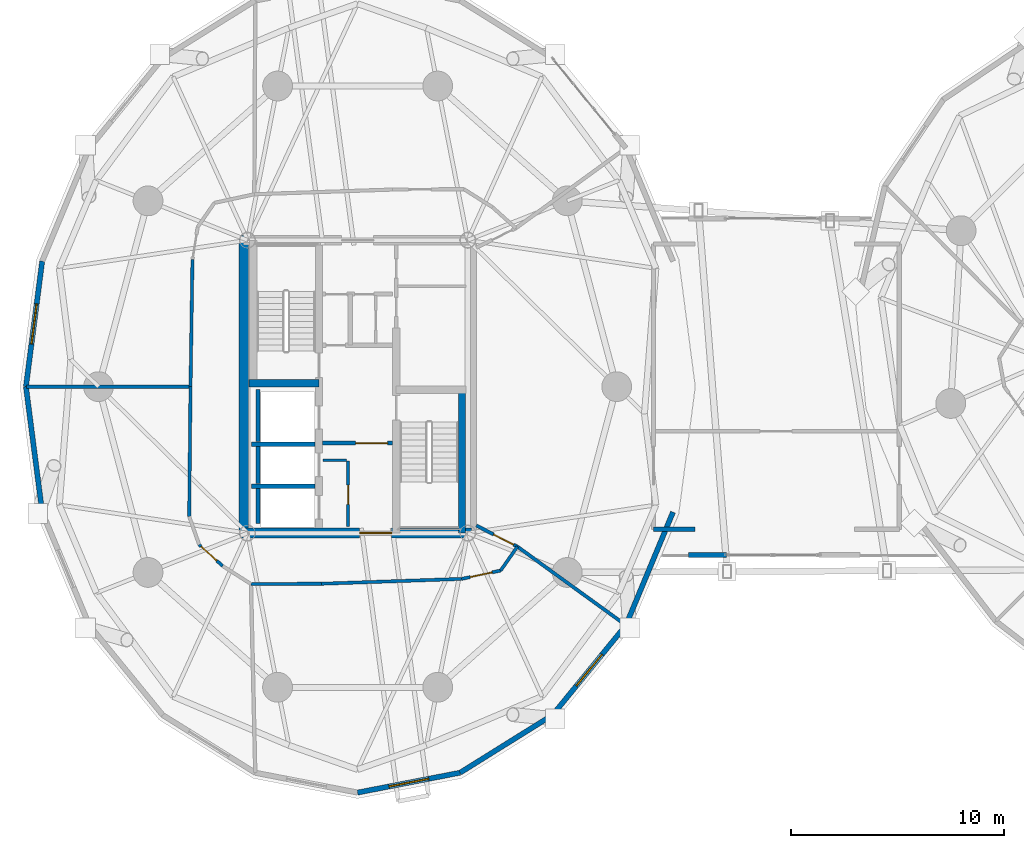
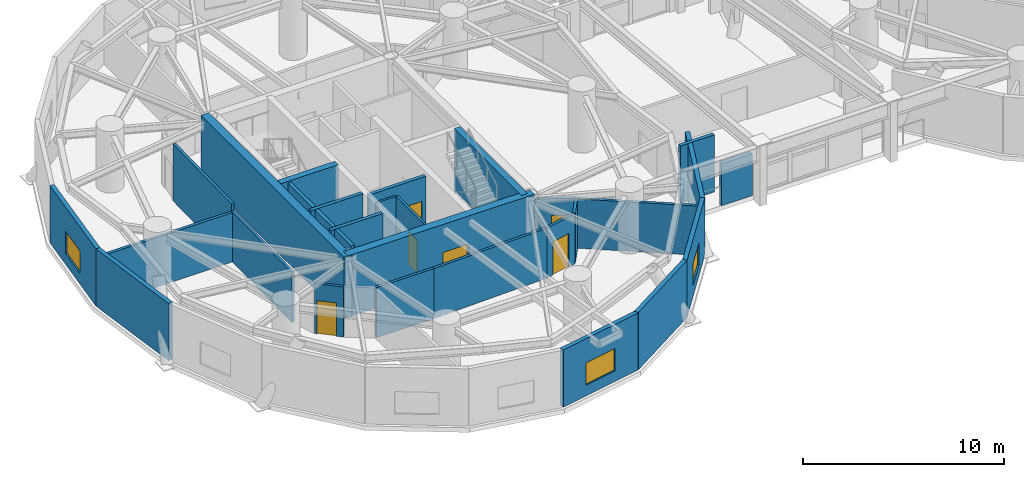
# One storey, part 13 of 20: 30 walls, 6 doors, 3 windows, 9 openings.
"""IFC4 building model written with IfcOpenShell, lengths in metres."""

from ifc_helpers import new_model, si_unit, direction, frame, frame_2d, origin, place, context, subcontext, project, spatial, rectangle, extrude, source, transform, mapped, material, layer, layer_set, type_object, element, fill, save


model = new_model("IFC4")

# Units and contexts
model_context = context("Model", 3, precision=1e-05, world=origin(), true_north=direction((0.0, 1.0)))
body_context = subcontext(model_context, "Body", "Model", "MODEL_VIEW")
ifc_project = project(units=[si_unit("LENGTHUNIT", "METRE"), si_unit("AREAUNIT", "SQUARE_METRE"), si_unit("VOLUMEUNIT", "CUBIC_METRE"), si_unit("PLANEANGLEUNIT", "RADIAN"), si_unit("MASSUNIT", "GRAM", prefix="KILO")], contexts=[model_context])

# Site, building, storey
site_placement = place(None, origin())
site = spatial("IfcSite", under=ifc_project, at=site_placement, CompositionType="ELEMENT")
building_placement = place(site_placement, origin())
building = spatial("IfcBuilding", under=site, at=building_placement, Name="Cununo Teusaquillo Station Towers", CompositionType="ELEMENT")
storey_placement = place(building_placement, frame((0.0, 0.0, 140.320068359375)))
storey = spatial("IfcBuildingStorey", under=building, at=storey_placement, Name="L44", CompositionType="ELEMENT", Elevation=140.320068359375)

# Walls
ifc_material_1 = material(Name="Concrete C50/60", Category="concrete")
ifc_layer_1 = layer(ifc_material_1, 0.199951171875)
ifc_layer_set_1 = layer_set([ifc_layer_1], Name="Concrete C50/60")
wall_type_1 = type_object("IfcWallType", Name="WL-CORE-200", PredefinedType="SHEAR", material=ifc_layer_set_1)
wall_1_placement = place(storey_placement, frame((11.52001953125, 21.800048828125, 0.0), z_axis=(0.0, 0.0, 1.0), x_axis=(1.0, 0.0, 0.0)))
element("IfcWall", 1, at=wall_1_placement, inside=storey, type_object=wall_type_1, Name="L44 Tower A Firefighting Lift Shaft South Shear Wall", PredefinedType="SHEAR", context=body_context, shape_type="SweptSolid", body=[
    extrude(rectangle(XDim=2.969970703125, YDim=0.199951171875, at=frame_2d((1.48486328125, 0.0))), origin(), (0.0, 0.0, 1.0), 3.719970703125),
])
wall_2_placement = place(storey_placement, frame((11.820068359375, 21.919921875, 0.0), z_axis=(0.0, 0.0, 1.0), x_axis=(0.0, 1.0, 0.0)))
element("IfcWall", 2, at=wall_2_placement, inside=storey, type_object=wall_type_1, Name="L44 Tower A Firefighting Lift Shaft Rear Shear Wall", PredefinedType="SHEAR", context=body_context, shape_type="SweptSolid", body=[
    extrude(rectangle(XDim=2.440185546875, YDim=0.199951171875, at=frame_2d((1.22021484375, 0.0))), origin(), (0.0, 0.0, 1.0), 3.719970703125),
])
wall_3_placement = place(storey_placement, frame((11.52001953125, 19.824951171875, 0.0), z_axis=(0.0, 0.0, 1.0), x_axis=(1.0, 0.0, 0.0)))
element("IfcWall", 3, at=wall_3_placement, inside=storey, type_object=wall_type_1, Name="L44 Tower A High-Rise Lift Hoistway Divider Shear Wall", PredefinedType="SHEAR", context=body_context, shape_type="SweptSolid", body=[
    extrude(rectangle(XDim=2.969970703125, YDim=0.199951171875, at=frame_2d((1.48486328125, 0.0))), origin(), (0.0, 0.0, 1.0), 3.719970703125),
])
wall_4_placement = place(storey_placement, frame((11.820068359375, 19.945068359375, 0.0), z_axis=(0.0, 0.0, 1.0), x_axis=(0.0, 1.0, 0.0)))
element("IfcWall", 4, at=wall_4_placement, inside=storey, type_object=wall_type_1, Name="L44 Tower A High-Rise Lift 2 Shaft Rear Shear Wall", PredefinedType="SHEAR", context=body_context, shape_type="SweptSolid", body=[
    extrude(rectangle(XDim=1.73486328125, YDim=0.199951171875, at=frame_2d((0.867431640625, 0.0))), origin(), (0.0, 0.0, 1.0), 3.719970703125),
])
wall_5_placement = place(storey_placement, frame((11.820068359375, 18.070068359375, 0.0), z_axis=(0.0, 0.0, 1.0), x_axis=(0.0, 1.0, 0.0)))
element("IfcWall", 5, at=wall_5_placement, inside=storey, type_object=wall_type_1, Name="L44 Tower A High-Rise Lift 1 Shaft Rear Shear Wall", PredefinedType="SHEAR", context=body_context, shape_type="SweptSolid", body=[
    extrude(rectangle(XDim=1.635009765625, YDim=0.199951171875, at=frame_2d((0.8173828125, 0.0))), origin(), (0.0, 0.0, 1.0), 3.719970703125),
])
ifc_material_2 = material(Name="Concrete C50/60", Category="concrete")
ifc_layer_2 = layer(ifc_material_2, 0.35009765625)
ifc_layer_set_2 = layer_set([ifc_layer_2], Name="Concrete C50/60")
wall_type_2 = type_object("IfcWallType", Name="WL-CORE-350", PredefinedType="SHEAR", material=ifc_layer_set_2)
wall_6_placement = place(storey_placement, frame((11.39990234375, 24.655029296875, 0.0), z_axis=(0.0, 0.0, 1.0), x_axis=(1.0, 0.0, 0.0)))
element("IfcWall", 6, at=wall_6_placement, inside=storey, type_object=wall_type_2, Name="L44 Tower A Core Shear Wall ST1S", PredefinedType="SHEAR", context=body_context, shape_type="SweptSolid", body=[
    extrude(rectangle(XDim=3.28515625, YDim=0.35009765625, at=frame_2d((1.642578125, 0.0))), origin(), (0.0, 0.0, 1.0), 3.719970703125),
])
wall_7_placement = place(storey_placement, frame((21.405029296875, 17.625, 0.0), z_axis=(0.0, 0.0, 1.0), x_axis=(0.0, 1.0, 0.0)))
element("IfcWall", 7, at=wall_7_placement, inside=storey, type_object=wall_type_2, Name="L44 Tower A Core Shear Wall ST2E", PredefinedType="SHEAR", context=body_context, shape_type="SweptSolid", body=[
    extrude(rectangle(XDim=6.719970703125, YDim=0.35009765625, at=frame_2d((3.35986328125, 0.0))), origin(), (0.0, 0.0, 1.0), 3.719970703125),
])
ifc_material_3 = material(Name="Concrete C60/75", Category="concrete")
ifc_layer_3 = layer(ifc_material_3, 0.449951171875)
ifc_layer_set_3 = layer_set([ifc_layer_3], Name="Concrete C60/75")
wall_type_3 = type_object("IfcWallType", Name="WL-CORE-450", PredefinedType="SHEAR", material=ifc_layer_set_3)
wall_8_placement = place(storey_placement, frame((11.14990234375, 17.39990234375, 0.0), z_axis=(0.0, 0.0, 1.0), x_axis=(0.0, 1.0, 0.0)))
element("IfcWall", 8, at=wall_8_placement, inside=storey, type_object=wall_type_3, Name="L44 Tower A Core Shear Wall W", PredefinedType="SHEAR", context=body_context, shape_type="SweptSolid", body=[
    extrude(rectangle(XDim=14.2001953125, YDim=0.449951171875, at=frame_2d((7.10009765625, 0.0))), origin(), (0.0, 0.0, 1.0), 3.719970703125),
])

# Wall, opening, door
wall_9_placement = place(storey_placement, frame((11.14990234375, 17.625, 0.0), z_axis=(0.0, 0.0, 1.0), x_axis=(1.0, 0.0, 0.0)))
wall_9 = element("IfcWall", 9, at=wall_9_placement, inside=storey, type_object=wall_type_3, Name="L44 Tower A Core Shear Wall S", PredefinedType="SHEAR", context=body_context, shape_type="SweptSolid", body=[
    extrude(rectangle(XDim=10.7001953125, YDim=0.449951171875, at=frame_2d((5.35009765625, 0.0))), origin(), (0.0, 0.0, 1.0), 3.719970703125),
])
shared_shape_1 = source(origin(), body_context, "Body", "SweptSolid", [
    extrude(rectangle(XDim=1.5, YDim=2.02001953125, at=frame_2d((0.75, 1.010009765625))), frame((0.0, 0.23486328125, 0.0), z_axis=(0.0, -1.0, 0.0), x_axis=(1.0, 0.0, 0.0)), (0.0, 0.0, 1.0), 0.469970703125),
])
opening_1_placement = place(wall_9_placement, frame((5.449951171875, 0.0, 0.0)))
opening_1 = element("IfcOpeningElement", 10, at=opening_1_placement, cuts=wall_9, Name="Opening D-LB1", PredefinedType="OPENING", context=body_context, shape_type="MappedRepresentation", body=[
    mapped(shared_shape_1, transform((0.0, 0.0, 0.0), x_axis=(1.0, 0.0, 0.0), y_axis=(0.0, 1.0, 0.0), z_axis=(0.0, 0.0, 1.0), scale=1.0)),
])
ifc_material_4 = material(Name="Galvanised fire-rated hollow steel door assembly", Category="steel")
door_type_1 = type_object("IfcDoorType", Name="DR-LOBBY-1500", OperationType="DOUBLE_DOOR_SINGLE_SWING", PredefinedType="DOOR", material=ifc_material_4)
shared_shape_2 = source(origin(), body_context, "Body", "SweptSolid", [
    extrude(rectangle(XDim=1.5, YDim=2.02001953125, at=frame_2d((0.75, 1.010009765625))), frame((0.0, 0.02490234375, 0.0), z_axis=(0.0, -1.0, 0.0), x_axis=(1.0, 0.0, 0.0)), (0.0, 0.0, 1.0), 0.050048828125),
])
door_1_placement = place(opening_1_placement, origin())
door_1 = element("IfcDoor", 11, at=door_1_placement, inside=storey, type_object=door_type_1, Name="L44 Tower A South Core Lift Lobby Door", OperationType="DOUBLE_DOOR_SINGLE_SWING", OverallHeight=2.02001953125, OverallWidth=1.5, PredefinedType="DOOR", context=body_context, shape_type="MappedRepresentation", body=[
    mapped(shared_shape_2, transform((0.0, 0.0, 0.0), x_axis=(1.0, 0.0, 0.0), y_axis=(0.0, 1.0, 0.0), z_axis=(0.0, 0.0, 1.0), scale=1.0)),
])
fill(opening_1, door_1)

# Wall, opening, window
ifc_material_5 = material(Name="Precast concrete C40/50", Category="concrete")
ifc_layer_4 = layer(ifc_material_5, 0.239990234375)
ifc_layer_set_4 = layer_set([ifc_layer_4], Name="Precast concrete C40/50")
wall_type_4 = type_object("IfcWallType", Name="WL-EXT-240", PredefinedType="SOLIDWALL", material=ifc_layer_set_4)
wall_10_placement = place(storey_placement, frame((0.9189453125, 24.5, 0.0), z_axis=(0.0, 0.0, 1.0), x_axis=(0.128351991996, 0.991728675672, 0.0)))
wall_10 = element("IfcWall", 12, at=wall_10_placement, inside=storey, type_object=wall_type_4, Name="L44 Tower A Exterior Facade Wall C09", PredefinedType="SOLIDWALL", context=body_context, shape_type="SweptSolid", body=[
    extrude(rectangle(XDim=5.942138671875, YDim=0.239990234375, at=frame_2d((2.97119140625, 0.0))), origin(), (0.0, 0.0, 1.0), 3.46484375),
])
shared_shape_3 = source(origin(), body_context, "Body", "SweptSolid", [
    extrude(rectangle(XDim=1.89990234375, YDim=1.35009765625, at=frame_2d((0.949951171875, 0.675048828125))), frame((0.0, 0.1298828125, 0.0), z_axis=(0.0, -1.0, 0.0), x_axis=(1.0, 0.0, 0.0)), (0.0, 0.0, 1.0), 0.260009765625),
])
opening_2_placement = place(wall_10_placement, frame((2.02099609375, 0.0, 0.64990234375)))
opening_2 = element("IfcOpeningElement", 13, at=opening_2_placement, cuts=wall_10, Name="Opening WN-02", PredefinedType="OPENING", context=body_context, shape_type="MappedRepresentation", body=[
    mapped(shared_shape_3, transform((0.0, 0.0, 0.0), x_axis=(1.0, 0.0, 0.0), y_axis=(0.0, 1.0, 0.0), z_axis=(0.0, 0.0, 1.0), scale=1.0)),
])
ifc_material_6 = material(Name="Operable acoustic tinted low-E double glazing", Category="glass")
window_type = type_object("IfcWindowType", Name="WIN-OPER-1900", PartitioningType="DOUBLE_PANEL_VERTICAL", PredefinedType="WINDOW", material=ifc_material_6)
shared_shape_4 = source(origin(), body_context, "Body", "SweptSolid", [
    extrude(rectangle(XDim=1.89990234375, YDim=1.35009765625, at=frame_2d((0.949951171875, 0.675048828125))), frame((0.0, 0.030029296875, 0.0), z_axis=(0.0, -1.0, 0.0), x_axis=(1.0, 0.0, 0.0)), (0.0, 0.0, 1.0), 0.06005859375),
])
window_1_placement = place(opening_2_placement, origin())
window_1 = element("IfcWindow", 14, at=window_1_placement, inside=storey, type_object=window_type, Name="L44 Tower A Facade Window C09", OverallHeight=1.35009765625, OverallWidth=1.89990234375, PartitioningType="DOUBLE_PANEL_VERTICAL", PredefinedType="WINDOW", context=body_context, shape_type="MappedRepresentation", body=[
    mapped(shared_shape_4, transform((0.0, 0.0, 0.0), x_axis=(1.0, 0.0, 0.0), y_axis=(0.0, 1.0, 0.0), z_axis=(0.0, 0.0, 1.0), scale=1.0)),
])
fill(opening_2, window_1)

# Wall
wall_11_placement = place(storey_placement, frame((1.681640625, 18.60693359375, 0.0), z_axis=(0.0, 0.0, 1.0), x_axis=(-0.128351991996, 0.991728675672, 0.0)))
element("IfcWall", 15, at=wall_11_placement, inside=storey, type_object=wall_type_4, Name="L44 Tower A Exterior Facade Wall C10", PredefinedType="SOLIDWALL", context=body_context, shape_type="SweptSolid", body=[
    extrude(rectangle(XDim=5.942138671875, YDim=0.239990234375, at=frame_2d((2.97119140625, 0.0))), origin(), (0.0, 0.0, 1.0), 3.46484375),
])

# Wall, opening, window
wall_12_placement = place(storey_placement, frame((21.314697265625, 6.36328125, 0.0), z_axis=(0.0, 0.0, 1.0), x_axis=(-0.981723785992, -0.190311344954, 0.0)))
wall_12 = element("IfcWall", 16, at=wall_12_placement, inside=storey, type_object=wall_type_4, Name="L44 Tower A Exterior Facade Wall C15", PredefinedType="SOLIDWALL", context=body_context, shape_type="SweptSolid", body=[
    extrude(rectangle(XDim=4.904296875, YDim=0.239990234375, at=frame_2d((2.4521484375, 0.0))), origin(), (0.0, 0.0, 1.0), 3.46484375),
])
opening_3_placement = place(wall_12_placement, frame((1.501953125, 0.0, 0.64990234375)))
opening_3 = element("IfcOpeningElement", 17, at=opening_3_placement, cuts=wall_12, Name="Opening WN-02", PredefinedType="OPENING", context=body_context, shape_type="MappedRepresentation", body=[
    mapped(shared_shape_3, transform((0.0, 0.0, 0.0), x_axis=(1.0, 0.0, 0.0), y_axis=(0.0, 1.0, 0.0), z_axis=(0.0, 0.0, 1.0), scale=1.0)),
])
window_2_placement = place(opening_3_placement, origin())
window_2 = element("IfcWindow", 18, at=window_2_placement, inside=storey, type_object=window_type, Name="L44 Tower A Facade Window C15", OverallHeight=1.35009765625, OverallWidth=1.89990234375, PartitioningType="DOUBLE_PANEL_VERTICAL", PredefinedType="WINDOW", context=body_context, shape_type="MappedRepresentation", body=[
    mapped(shared_shape_4, transform((0.0, 0.0, 0.0), x_axis=(1.0, 0.0, 0.0), y_axis=(0.0, 1.0, 0.0), z_axis=(0.0, 0.0, 1.0), scale=1.0)),
])
fill(opening_3, window_2)

# Wall
wall_13_placement = place(storey_placement, frame((25.658203125, 9.072021484375, 0.0), z_axis=(0.0, 0.0, 1.0), x_axis=(-0.848520380187, -0.529162701263, 0.0)))
element("IfcWall", 19, at=wall_13_placement, inside=storey, type_object=wall_type_4, Name="L44 Tower A Exterior Facade Wall C16", PredefinedType="SOLIDWALL", context=body_context, shape_type="SweptSolid", body=[
    extrude(rectangle(XDim=5.118896484375, YDim=0.239990234375, at=frame_2d((2.5595703125, 0.0))), origin(), (0.0, 0.0, 1.0), 3.46484375),
])

# Wall, opening, window
wall_14_placement = place(storey_placement, frame((29.105224609375, 13.291015625, 0.0), z_axis=(0.0, 0.0, 1.0), x_axis=(-0.632700781152, -0.77439635945, 0.0)))
wall_14 = element("IfcWall", 20, at=wall_14_placement, inside=storey, type_object=wall_type_4, Name="L44 Tower A Exterior Facade Wall C17", PredefinedType="SOLIDWALL", context=body_context, shape_type="SweptSolid", body=[
    extrude(rectangle(XDim=5.447998046875, YDim=0.239990234375, at=frame_2d((2.72412109375, 0.0))), origin(), (0.0, 0.0, 1.0), 3.46484375),
])
opening_4_placement = place(wall_14_placement, frame((1.77392578125, 0.0, 0.64990234375)))
opening_4 = element("IfcOpeningElement", 21, at=opening_4_placement, cuts=wall_14, Name="Opening WN-02", PredefinedType="OPENING", context=body_context, shape_type="MappedRepresentation", body=[
    mapped(shared_shape_3, transform((0.0, 0.0, 0.0), x_axis=(1.0, 0.0, 0.0), y_axis=(0.0, 1.0, 0.0), z_axis=(0.0, 0.0, 1.0), scale=1.0)),
])
window_3_placement = place(opening_4_placement, origin())
window_3 = element("IfcWindow", 22, at=window_3_placement, inside=storey, type_object=window_type, Name="L44 Tower A Facade Window C17", OverallHeight=1.35009765625, OverallWidth=1.89990234375, PartitioningType="DOUBLE_PANEL_VERTICAL", PredefinedType="WINDOW", context=body_context, shape_type="MappedRepresentation", body=[
    mapped(shared_shape_4, transform((0.0, 0.0, 0.0), x_axis=(1.0, 0.0, 0.0), y_axis=(0.0, 1.0, 0.0), z_axis=(0.0, 0.0, 1.0), scale=1.0)),
])
fill(opening_4, window_3)

# Walls
wall_15_placement = place(storey_placement, frame((31.318359375, 18.60693359375, 0.0), z_axis=(0.0, 0.0, 1.0), x_axis=(-0.384344417632, -0.923189779317, 0.0)))
element("IfcWall", 23, at=wall_15_placement, inside=storey, type_object=wall_type_4, Name="L44 Tower A Exterior Facade Wall C18", PredefinedType="SOLIDWALL", context=body_context, shape_type="SweptSolid", body=[
    extrude(rectangle(XDim=5.75830078125, YDim=0.239990234375, at=frame_2d((2.879150390625, 0.0))), origin(), (0.0, 0.0, 1.0), 3.46484375),
])
wall_16_placement = place(storey_placement, frame((33.820068359375, 16.60009765625, 0.0), z_axis=(0.0, 0.0, 1.0), x_axis=(-1.0, 0.0, 0.0)))
element("IfcWall", 24, at=wall_16_placement, inside=storey, type_object=wall_type_4, Name="L44 Mid-Bridge S End Spandrel B", PredefinedType="SOLIDWALL", context=body_context, shape_type="SweptSolid", body=[
    extrude(rectangle(XDim=1.77001953125, YDim=0.239990234375, at=frame_2d((0.885009765625, 0.0))), origin(), (0.0, 0.0, 1.0), 2.5419921875),
])

# Wall, opening, door
ifc_material_7 = material(Name="Fire-rated gypsum plasterboard partition assembly", Category="gypsum")
ifc_layer_5 = layer(ifc_material_7, 0.125)
ifc_layer_set_5 = layer_set([ifc_layer_5], Name="Fire-rated gypsum plasterboard partition assembly")
wall_type_5 = type_object("IfcWallType", Name="WL-PART-125", PredefinedType="PARTITIONING", material=ifc_layer_set_5)
wall_17_placement = place(storey_placement, frame((16.050048828125, 17.919921875, 0.0), z_axis=(0.0, 0.0, 1.0), x_axis=(0.0, 1.0, 0.0)))
wall_17 = element("IfcWall", 25, at=wall_17_placement, inside=storey, type_object=wall_type_5, Name="L44 Tower A South-West Tall Store East Wall", PredefinedType="PARTITIONING", context=body_context, shape_type="SweptSolid", body=[
    extrude(rectangle(XDim=3.080078125, YDim=0.125, at=frame_2d((1.5400390625, 0.0))), origin(), (0.0, 0.0, 1.0), 3.46484375),
])
shared_shape_5 = source(origin(), body_context, "Body", "SweptSolid", [
    extrude(rectangle(XDim=0.89990234375, YDim=2.0048828125, at=frame_2d((0.449951171875, 1.00244140625))), frame((0.0, 0.072509765625, 0.0), z_axis=(0.0, -1.0, 0.0), x_axis=(1.0, 0.0, 0.0)), (0.0, 0.0, 1.0), 0.14501953125),
])
opening_5_placement = place(wall_17_placement, frame((1.050048828125, 0.0, 0.0)))
opening_5 = element("IfcOpeningElement", 26, at=opening_5_placement, cuts=wall_17, Name="Opening D-SR1", PredefinedType="OPENING", context=body_context, shape_type="MappedRepresentation", body=[
    mapped(shared_shape_5, transform((0.0, 0.0, 0.0), x_axis=(1.0, 0.0, 0.0), y_axis=(0.0, 1.0, 0.0), z_axis=(0.0, 0.0, 1.0), scale=1.0)),
])
ifc_material_8 = material(Name="Galvanised fire-rated hollow steel door assembly", Category="steel")
door_type_2 = type_object("IfcDoorType", Name="DR-STORE-900", OperationType="NOTDEFINED", PredefinedType="DOOR", material=ifc_material_8)
shared_shape_6 = source(origin(), body_context, "Body", "SweptSolid", [
    extrude(rectangle(XDim=0.89990234375, YDim=2.0048828125, at=frame_2d((0.449951171875, 1.00244140625))), frame((0.0, 0.02490234375, 0.0), z_axis=(0.0, -1.0, 0.0), x_axis=(1.0, 0.0, 0.0)), (0.0, 0.0, 1.0), 0.050048828125),
])
door_2_placement = place(opening_5_placement, origin())
door_2 = element("IfcDoor", 27, at=door_2_placement, inside=storey, type_object=door_type_2, Name="L44 Tower A South Cleaners Store Door", OperationType="SINGLE_SWING_RIGHT", OverallHeight=2.0048828125, OverallWidth=0.89990234375, PredefinedType="DOOR", context=body_context, shape_type="MappedRepresentation", body=[
    mapped(shared_shape_6, transform((0.0, 0.0, 0.0), x_axis=(1.0, 0.0, 0.0), y_axis=(0.0, 1.0, 0.0), z_axis=(0.0, 0.0, 1.0), scale=1.0)),
])
fill(opening_5, door_2)

# Walls
wall_18_placement = place(storey_placement, frame((14.8798828125, 21.050048828125, 0.0), z_axis=(0.0, 0.0, 1.0), x_axis=(1.0, 0.0, 0.0)))
element("IfcWall", 28, at=wall_18_placement, inside=storey, type_object=wall_type_5, Name="L44 Tower A South-West Tall Store North Wall", PredefinedType="PARTITIONING", context=body_context, shape_type="SweptSolid", body=[
    extrude(rectangle(XDim=1.10009765625, YDim=0.125, at=frame_2d((0.550048828125, 0.0))), origin(), (0.0, 0.0, 1.0), 3.46484375),
])
ifc_material_9 = material(Name="Fire-rated gypsum plasterboard partition assembly", Category="gypsum")
ifc_layer_6 = layer(ifc_material_9, 0.14990234375)
ifc_layer_set_6 = layer_set([ifc_layer_6], Name="Fire-rated gypsum plasterboard partition assembly")
wall_type_6 = type_object("IfcWallType", Name="WL-PART-150", PredefinedType="PARTITIONING", material=ifc_layer_set_6)
wall_19_placement = place(storey_placement, frame((8.74169921875, 30.47900390625, 0.0), z_axis=(0.0, 0.0, 1.0), x_axis=(-0.015351396174, -0.999882160375, 0.0)))
element("IfcWall", 29, at=wall_19_placement, inside=storey, type_object=wall_type_6, Name="L44 Tower A Corridor Ring Wall C09", PredefinedType="PARTITIONING", context=body_context, shape_type="SweptSolid", body=[
    extrude(rectangle(XDim=5.979736328125, YDim=0.14990234375, at=frame_2d((2.98974609375, 0.0))), origin(), (0.0, 0.0, 1.0), 3.46484375),
])
wall_20_placement = place(storey_placement, frame((8.64990234375, 24.5, 0.0), z_axis=(0.0, 0.0, 1.0), x_axis=(-0.010250943023, -0.999947457703, 0.0)))
element("IfcWall", 30, at=wall_20_placement, inside=storey, type_object=wall_type_6, Name="L44 Tower A Corridor Ring Wall C10", PredefinedType="PARTITIONING", context=body_context, shape_type="SweptSolid", body=[
    extrude(rectangle(XDim=6.096923828125, YDim=0.14990234375, at=frame_2d((3.04833984375, 0.0))), origin(), (0.0, 0.0, 1.0), 3.034912109375),
])

# Wall, opening, door
wall_21_placement = place(storey_placement, frame((9.056884765625, 17.074462890625, 0.0), z_axis=(0.0, 0.0, 1.0), x_axis=(0.739999571423, -0.672607340351, 0.0)))
wall_21 = element("IfcWall", 31, at=wall_21_placement, inside=storey, type_object=wall_type_6, Name="L44 Tower A Corridor Ring Wall C12", PredefinedType="PARTITIONING", context=body_context, shape_type="SweptSolid", body=[
    extrude(rectangle(XDim=1.4853515625, YDim=0.14990234375, at=frame_2d((0.74267578125, 0.0))), origin(), (0.0, 0.0, 1.0), 3.034912109375),
])
shared_shape_7 = source(origin(), body_context, "Body", "SweptSolid", [
    extrude(rectangle(XDim=1.0, YDim=2.014892578125, at=frame_2d((0.5, 1.00732421875))), frame((0.0, 0.0849609375, 0.0), z_axis=(0.0, -1.0, 0.0), x_axis=(1.0, 0.0, 0.0)), (0.0, 0.0, 1.0), 0.169921875),
])
opening_6_placement = place(wall_21_placement, frame((0.1201171875, 0.0, 0.0)))
opening_6 = element("IfcOpeningElement", 32, at=opening_6_placement, cuts=wall_21, Name="Opening D-AC1", PredefinedType="OPENING", context=body_context, shape_type="MappedRepresentation", body=[
    mapped(shared_shape_7, transform((0.0, 0.0, 0.0), x_axis=(1.0, 0.0, 0.0), y_axis=(0.0, 1.0, 0.0), z_axis=(0.0, 0.0, 1.0), scale=1.0)),
])
ifc_material_10 = material(Name="Acoustic solid-core hardwood leaf assembly", Category="wood")
door_type_3 = type_object("IfcDoorType", Name="DR-ACC-1000", OperationType="NOTDEFINED", PredefinedType="DOOR", material=ifc_material_10)
shared_shape_8 = source(origin(), body_context, "Body", "SweptSolid", [
    extrude(rectangle(XDim=1.0, YDim=2.014892578125, at=frame_2d((0.5, 1.00732421875))), frame((0.0, 0.02490234375, 0.0), z_axis=(0.0, -1.0, 0.0), x_axis=(1.0, 0.0, 0.0)), (0.0, 0.0, 1.0), 0.050048828125),
])
door_3_placement = place(opening_6_placement, origin())
door_3 = element("IfcDoor", 33, at=door_3_placement, inside=storey, type_object=door_type_3, Name="L44 Tower A Public Accessible Restroom WC Entrance Door", OperationType="SINGLE_SWING_LEFT", OverallHeight=2.014892578125, OverallWidth=1.0, PredefinedType="DOOR", context=body_context, shape_type="MappedRepresentation", body=[
    mapped(shared_shape_8, transform((0.0, 0.0, 0.0), x_axis=(1.0, 0.0, 0.0), y_axis=(0.0, 1.0, 0.0), z_axis=(0.0, 0.0, 1.0), scale=1.0)),
])
fill(opening_6, door_3)

# Walls
wall_22_placement = place(storey_placement, frame((11.490478515625, 15.22705078125, 0.0), z_axis=(0.0, 0.0, 1.0), x_axis=(0.999991728046, 0.004067411998, 0.0)))
element("IfcWall", 34, at=wall_22_placement, inside=storey, type_object=wall_type_6, Name="L44 Tower A Corridor Ring Wall C14", PredefinedType="PARTITIONING", context=body_context, shape_type="SweptSolid", body=[
    extrude(rectangle(XDim=3.30126953125, YDim=0.14990234375, at=frame_2d((1.650634765625, 0.0))), origin(), (0.0, 0.0, 1.0), 3.034912109375),
])
wall_23_placement = place(storey_placement, frame((14.791748046875, 15.240478515625, 0.0), z_axis=(0.0, 0.0, 1.0), x_axis=(0.999408106202, 0.034401122909, 0.0)))
element("IfcWall", 35, at=wall_23_placement, inside=storey, type_object=wall_type_6, Name="L44 Tower A Corridor Ring Wall C15", PredefinedType="PARTITIONING", context=body_context, shape_type="SweptSolid", body=[
    extrude(rectangle(XDim=6.60009765625, YDim=0.14990234375, at=frame_2d((3.300048828125, 0.0))), origin(), (0.0, 0.0, 1.0), 3.034912109375),
])

# Wall, opening, door
wall_24_placement = place(storey_placement, frame((21.387939453125, 15.467529296875, 0.0), z_axis=(0.0, 0.0, 1.0), x_axis=(0.977672748596, 0.210133283069, 0.0)))
wall_24 = element("IfcWall", 36, at=wall_24_placement, inside=storey, type_object=wall_type_6, Name="L44 Tower A Corridor Ring Wall C16", PredefinedType="PARTITIONING", context=body_context, shape_type="SweptSolid", body=[
    extrude(rectangle(XDim=1.87646484375, YDim=0.14990234375, at=frame_2d((0.938232421875, 0.0))), origin(), (0.0, 0.0, 1.0), 3.034912109375),
])
shared_shape_9 = source(origin(), body_context, "Body", "SweptSolid", [
    extrude(rectangle(XDim=1.050048828125, YDim=2.014892578125, at=frame_2d((0.52490234375, 1.00732421875))), frame((0.0, 0.0849609375, 0.0), z_axis=(0.0, -1.0, 0.0), x_axis=(1.0, 0.0, 0.0)), (0.0, 0.0, 1.0), 0.169921875),
])
opening_7_placement = place(wall_24_placement, frame((0.4130859375, 0.0, 0.0)))
opening_7 = element("IfcOpeningElement", 37, at=opening_7_placement, cuts=wall_24, Name="Opening D-SU1", PredefinedType="OPENING", context=body_context, shape_type="MappedRepresentation", body=[
    mapped(shared_shape_9, transform((0.0, 0.0, 0.0), x_axis=(1.0, 0.0, 0.0), y_axis=(0.0, 1.0, 0.0), z_axis=(0.0, 0.0, 1.0), scale=1.0)),
])
ifc_material_11 = material(Name="Acoustic solid-core hardwood leaf assembly", Category="wood")
door_type_4 = type_object("IfcDoorType", Name="DR-SUITE-1050", OperationType="NOTDEFINED", PredefinedType="DOOR", material=ifc_material_11)
shared_shape_10 = source(origin(), body_context, "Body", "SweptSolid", [
    extrude(rectangle(XDim=1.050048828125, YDim=2.014892578125, at=frame_2d((0.52490234375, 1.00732421875))), frame((0.0, 0.02490234375, 0.0), z_axis=(0.0, -1.0, 0.0), x_axis=(1.0, 0.0, 0.0)), (0.0, 0.0, 1.0), 0.050048828125),
])
door_4_placement = place(opening_7_placement, origin())
door_4 = element("IfcDoor", 38, at=door_4_placement, inside=storey, type_object=door_type_4, Name="L44 Tower A Executive Sky-Bridge Club Lounge Entrance Door", OperationType="SINGLE_SWING_RIGHT", OverallHeight=2.014892578125, OverallWidth=1.050048828125, PredefinedType="DOOR", context=body_context, shape_type="MappedRepresentation", body=[
    mapped(shared_shape_10, transform((0.0, 0.0, 0.0), x_axis=(1.0, 0.0, 0.0), y_axis=(0.0, 1.0, 0.0), z_axis=(0.0, 0.0, 1.0), scale=1.0)),
])
fill(opening_7, door_4)

# Walls
wall_25_placement = place(storey_placement, frame((23.222412109375, 15.86181640625, 0.0), z_axis=(0.0, 0.0, 1.0), x_axis=(0.571941738195, 0.820294244836, 0.0)))
element("IfcWall", 39, at=wall_25_placement, inside=storey, type_object=wall_type_6, Name="L44 Tower A Corridor Ring Wall C17", PredefinedType="PARTITIONING", context=body_context, shape_type="SweptSolid", body=[
    extrude(rectangle(XDim=1.369384765625, YDim=0.14990234375, at=frame_2d((0.6845703125, 0.0))), origin(), (0.0, 0.0, 1.0), 3.034912109375),
])
ifc_material_12 = material(Name="Fire-rated gypsum plasterboard partition assembly", Category="gypsum")
ifc_layer_7 = layer(ifc_material_12, 0.159912109375)
ifc_layer_set_7 = layer_set([ifc_layer_7], Name="Fire-rated gypsum plasterboard partition assembly")
wall_type_7 = type_object("IfcWallType", Name="WL-PART-160", PredefinedType="PARTITIONING", material=ifc_layer_set_7)
wall_26_placement = place(storey_placement, frame((8.64990234375, 24.5, 0.0), z_axis=(0.0, 0.0, 1.0), x_axis=(-1.0, 0.0, 0.0)))
element("IfcWall", 40, at=wall_26_placement, inside=storey, type_object=wall_type_7, Name="L44 Tower A Radial Suite Partition R03", PredefinedType="PARTITIONING", context=body_context, shape_type="SweptSolid", body=[
    extrude(rectangle(XDim=7.7109375, YDim=0.159912109375, at=frame_2d((3.85546875, 0.0))), origin(), (0.0, 0.0, 1.0), 2.989013671875),
])
wall_27_placement = place(storey_placement, frame((24.005615234375, 16.985107421875, 0.0), z_axis=(0.0, 0.0, 1.0), x_axis=(0.809849730791, -0.586637378231, 0.0)))
element("IfcWall", 41, at=wall_27_placement, inside=storey, type_object=wall_type_7, Name="L44 Tower A Radial Suite Partition R05", PredefinedType="PARTITIONING", context=body_context, shape_type="SweptSolid", body=[
    extrude(rectangle(XDim=6.277099609375, YDim=0.159912109375, at=frame_2d((3.138671875, 0.0))), origin(), (0.0, 0.0, 1.0), 2.989013671875),
])

# Wall, opening, door
wall_28_placement = place(storey_placement, frame((22.074951171875, 17.97509765625, 0.0), z_axis=(0.0, 0.0, 1.0), x_axis=(0.889835034782, -0.456282380632, 0.0)))
wall_28 = element("IfcWall", 42, at=wall_28_placement, inside=storey, type_object=wall_type_7, Name="L44 Tower A East Salon Corridor Portal Wall SE", PredefinedType="PARTITIONING", context=body_context, shape_type="SweptSolid", body=[
    extrude(rectangle(XDim=2.169677734375, YDim=0.159912109375, at=frame_2d((1.0849609375, 0.0))), origin(), (0.0, 0.0, 1.0), 3.034912109375),
])
shared_shape_11 = source(origin(), body_context, "Body", "SweptSolid", [
    extrude(rectangle(XDim=1.050048828125, YDim=2.014892578125, at=frame_2d((0.52490234375, 1.00732421875))), frame((0.0, 0.08984375, 0.0), z_axis=(0.0, -1.0, 0.0), x_axis=(1.0, 0.0, 0.0)), (0.0, 0.0, 1.0), 0.179931640625),
])
opening_8_placement = place(wall_28_placement, frame((0.919677734375, 0.0, 0.0)))
opening_8 = element("IfcOpeningElement", 43, at=opening_8_placement, cuts=wall_28, Name="Opening D-SU1", PredefinedType="OPENING", context=body_context, shape_type="MappedRepresentation", body=[
    mapped(shared_shape_11, transform((0.0, 0.0, 0.0), x_axis=(1.0, 0.0, 0.0), y_axis=(0.0, 1.0, 0.0), z_axis=(0.0, 0.0, 1.0), scale=1.0)),
])
door_5_placement = place(opening_8_placement, origin())
door_5 = element("IfcDoor", 44, at=door_5_placement, inside=storey, type_object=door_type_4, Name="L44 Tower A East Panorama Sky Salon Door SE", OperationType="SINGLE_SWING_RIGHT", OverallHeight=2.014892578125, OverallWidth=1.050048828125, PredefinedType="DOOR", context=body_context, shape_type="MappedRepresentation", body=[
    mapped(shared_shape_10, transform((0.0, 0.0, 0.0), x_axis=(1.0, 0.0, 0.0), y_axis=(0.0, 1.0, 0.0), z_axis=(0.0, 0.0, 1.0), scale=1.0)),
])
fill(opening_8, door_5)

# Wall
ifc_material_13 = material(Name="Fire-rated gypsum plasterboard partition assembly", Category="gypsum")
ifc_layer_8 = layer(ifc_material_13, 0.199951171875)
ifc_layer_set_8 = layer_set([ifc_layer_8], Name="Fire-rated gypsum plasterboard partition assembly")
wall_type_8 = type_object("IfcWallType", Name="WL-PART-200", PredefinedType="PARTITIONING", material=ifc_layer_set_8)
wall_29_placement = place(storey_placement, frame((30.39990234375, 17.800048828125, 0.0), z_axis=(0.0, 0.0, 1.0), x_axis=(1.0, 0.0, 0.0)))
element("IfcWall", 45, at=wall_29_placement, inside=storey, type_object=wall_type_8, Name="L44 Mid-Bridge Portal Return Wall WS", PredefinedType="PARTITIONING", context=body_context, shape_type="SweptSolid", body=[
    extrude(rectangle(XDim=1.9501953125, YDim=0.199951171875, at=frame_2d((0.97509765625, 0.0))), origin(), (0.0, 0.0, 1.0), 3.46484375),
])

# Wall, opening, door
wall_30_placement = place(storey_placement, frame((14.860107421875, 21.85009765625, 0.0), z_axis=(0.0, 0.0, 1.0), x_axis=(1.0, 0.0, 0.0)))
wall_30 = element("IfcWall", 46, at=wall_30_placement, inside=storey, type_object=wall_type_8, Name="L44 Tower A Firefighting Lift Lobby South Fire Wall", PredefinedType="PARTITIONING", context=body_context, shape_type="SweptSolid", body=[
    extrude(rectangle(XDim=3.27978515625, YDim=0.199951171875, at=frame_2d((1.639892578125, 0.0))), origin(), (0.0, 0.0, 1.0), 3.46484375),
])
shared_shape_12 = source(origin(), body_context, "Body", "SweptSolid", [
    extrude(rectangle(XDim=1.5, YDim=2.02001953125, at=frame_2d((0.75, 1.010009765625))), frame((0.0, 0.10986328125, 0.0), z_axis=(0.0, -1.0, 0.0), x_axis=(1.0, 0.0, 0.0)), (0.0, 0.0, 1.0), 0.219970703125),
])
opening_9_placement = place(wall_30_placement, frame((1.550048828125, 0.0, 0.0)))
opening_9 = element("IfcOpeningElement", 47, at=opening_9_placement, cuts=wall_30, Name="Opening D-LB1", PredefinedType="OPENING", context=body_context, shape_type="MappedRepresentation", body=[
    mapped(shared_shape_12, transform((0.0, 0.0, 0.0), x_axis=(1.0, 0.0, 0.0), y_axis=(0.0, 1.0, 0.0), z_axis=(0.0, 0.0, 1.0), scale=1.0)),
])
door_6_placement = place(opening_9_placement, origin())
door_6 = element("IfcDoor", 48, at=door_6_placement, inside=storey, type_object=door_type_1, Name="L44 Tower A Firefighting Lift Lobby South Fire Door", OperationType="DOUBLE_DOOR_SINGLE_SWING", OverallHeight=2.02001953125, OverallWidth=1.5, PredefinedType="DOOR", context=body_context, shape_type="MappedRepresentation", body=[
    mapped(shared_shape_2, transform((0.0, 0.0, 0.0), x_axis=(1.0, 0.0, 0.0), y_axis=(0.0, 1.0, 0.0), z_axis=(0.0, 0.0, 1.0), scale=1.0)),
])
fill(opening_9, door_6)

save(model, "model.ifc")
